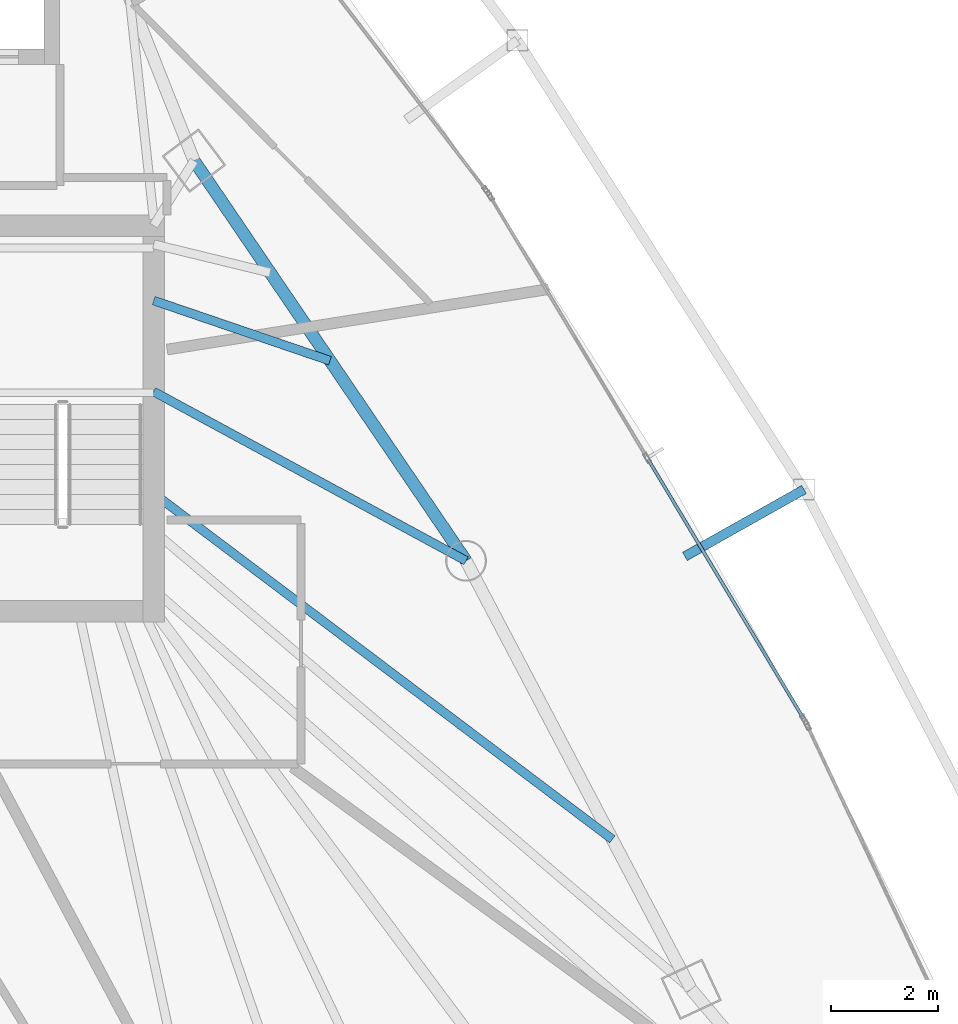
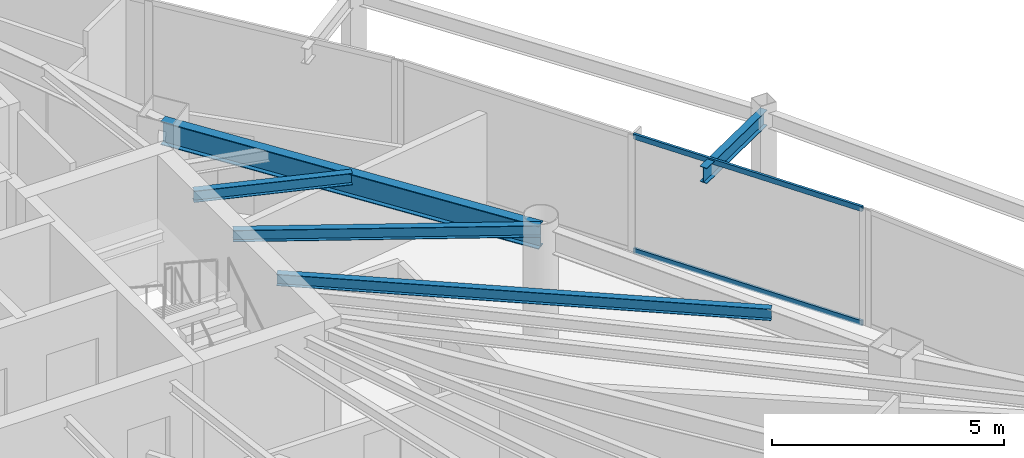
# One storey, part 17 of 33: 5 beams, 2 members, 1 element without a shape of its own.
"""IFC4 building model written with IfcOpenShell, lengths in metres."""

from ifc_helpers import new_model, si_unit, direction, frame, origin, origin_2d, place, context, subcontext, project, spatial, hollow_rectangle, i_section, extrude, material, layer, layer_set, material_profile, profile_set, type_object, element, aggregate, save


model = new_model("IFC4")

# Units and contexts
model_context = context("Model", 3, precision=1e-05, world=origin(), true_north=direction((0.0, 1.0)))
body_context = subcontext(model_context, "Body", "Model", "MODEL_VIEW")
ifc_project = project(units=[si_unit("LENGTHUNIT", "METRE"), si_unit("AREAUNIT", "SQUARE_METRE"), si_unit("VOLUMEUNIT", "CUBIC_METRE"), si_unit("PLANEANGLEUNIT", "RADIAN"), si_unit("MASSUNIT", "GRAM", prefix="KILO")], contexts=[model_context])

# Site, building, storey
site_placement = place(None, origin())
site = spatial("IfcSite", under=ifc_project, at=site_placement, CompositionType="ELEMENT")
building_placement = place(site_placement, origin())
building = spatial("IfcBuilding", under=site, at=building_placement, Name="Orvanel Arch Residences", CompositionType="ELEMENT")
storey_placement = place(building_placement, frame((0.0, 0.0, 119.89990234375)))
storey = spatial("IfcBuildingStorey", under=building, at=storey_placement, Name="L33", CompositionType="ELEMENT", Elevation=119.89990234375)

# Beams
ifc_material_1 = material(Name="Structural steel AS/NZS 3679.1 Grade 300 (300 MPa)", Category="steel")
ifc_material_profile_1 = material_profile(ifc_material_1, i_section(OverallWidth=0.1650390625, OverallDepth=0.303955078125, WebThickness=0.006103515625, FlangeThickness=0.01025390625, at=origin_2d()), Name="310UB40.4")
ifc_profile_set_1 = profile_set([ifc_material_profile_1], Name="Structural steel AS/NZS 3679.1 Grade 300 (300 MPa)")
beam_type_1 = type_object("IfcBeamType", Name="BJ-310UB", PredefinedType="JOIST", material=ifc_profile_set_1)
beam_1_placement = place(storey_placement, frame((39.60009765625, 30.800048828125, 2.908203125), z_axis=(0.87925534649, -0.476350748576, 0.0), x_axis=(0.476350748576, 0.87925534649, 0.0)))
element("IfcBeam", 1, at=beam_1_placement, inside=storey, type_object=beam_type_1, Name="L33 NE Wing Floor Joist", PredefinedType="JOIST", context=body_context, shape_type="SweptSolid", body=[
    extrude(i_section(OverallWidth=0.1650390625, OverallDepth=0.303955078125, WebThickness=0.006103515625, FlangeThickness=0.01025390625, at=origin_2d()), origin(), (0.0, 0.0, 1.0), 6.631591796875),
])
beam_2_placement = place(storey_placement, frame((39.60009765625, 32.5, 2.908203125), z_axis=(0.9464126781, -0.322959815969, 0.0), x_axis=(0.322959815969, 0.9464126781, 0.0)))
element("IfcBeam", 2, at=beam_2_placement, inside=storey, type_object=beam_type_1, Name="L33 ENE Wing Floor Joist", PredefinedType="JOIST", context=body_context, shape_type="SweptSolid", body=[
    extrude(i_section(OverallWidth=0.1650390625, OverallDepth=0.303955078125, WebThickness=0.006103515625, FlangeThickness=0.01025390625, at=origin_2d()), origin(), (0.0, 0.0, 1.0), 3.477294921875),
])
beam_3_placement = place(storey_placement, frame((39.60009765625, 28.89990234375, 2.908203125), z_axis=(0.798363428886, -0.602175917334, 0.0), x_axis=(0.602175917334, 0.798363428886, 0.0)))
element("IfcBeam", 3, at=beam_3_placement, inside=storey, type_object=beam_type_1, Name="L33 CTE Wing Floor Joist", PredefinedType="JOIST", context=body_context, shape_type="SweptSolid", body=[
    extrude(i_section(OverallWidth=0.1650390625, OverallDepth=0.303955078125, WebThickness=0.006103515625, FlangeThickness=0.01025390625, at=origin_2d()), origin(), (0.0, 0.0, 1.0), 10.724365234375),
])
ifc_material_profile_2 = material_profile(ifc_material_1, i_section(OverallWidth=0.177978515625, OverallDepth=0.406005859375, WebThickness=0.0078125, FlangeThickness=0.0126953125, at=origin_2d()), Name="410UB59.7")
ifc_profile_set_2 = profile_set([ifc_material_profile_2], Name="Structural steel AS/NZS 3679.1 Grade 300 (300 MPa)")
beam_type_2 = type_object("IfcBeamType", Name="OB-410UB-EXT", PredefinedType="SPANDREL", material=ifc_profile_set_2)
beam_4_placement = place(storey_placement, frame((49.51708984375, 27.722900390625, 2.857177734375), z_axis=(0.871639445711, 0.490147607034, 0.0), x_axis=(-0.490147607034, 0.871639445711, 0.0)))
element("IfcBeam", 4, at=beam_4_placement, inside=storey, type_object=beam_type_2, Name="L33 Outer Frame Radial Tie Beam 10", PredefinedType="SPANDREL", context=body_context, shape_type="SweptSolid", body=[
    extrude(i_section(OverallWidth=0.177978515625, OverallDepth=0.406005859375, WebThickness=0.0078125, FlangeThickness=0.0126953125, at=origin_2d()), origin(), (0.0, 0.0, 1.0), 2.55029296875),
])
ifc_material_profile_3 = material_profile(ifc_material_1, i_section(OverallWidth=0.22900390625, OverallDepth=0.612060546875, WebThickness=0.011962890625, FlangeThickness=0.01953125, at=origin_2d()), Name="610UB125")
ifc_profile_set_3 = profile_set([ifc_material_profile_3], Name="Structural steel AS/NZS 3679.1 Grade 300 (300 MPa)")
beam_type_3 = type_object("IfcBeamType", Name="SP-610UB", PredefinedType="SPANDREL", material=ifc_profile_set_3)
beam_5_placement = place(storey_placement, frame((45.430908203125, 27.64111328125, 2.754150390625), z_axis=(-0.562154793153, 0.827032035978, 0.0), x_axis=(-0.827032035978, -0.562154793153, 0.0)))
element("IfcBeam", 5, at=beam_5_placement, inside=storey, type_object=beam_type_3, Name="L33 Perimeter Spandrel Beam 12", PredefinedType="SPANDREL", context=body_context, shape_type="SweptSolid", body=[
    extrude(i_section(OverallWidth=0.22900390625, OverallDepth=0.612060546875, WebThickness=0.011962890625, FlangeThickness=0.01953125, at=origin_2d()), origin(), (0.0, 0.0, 1.0), 9.03466796875),
])

# Curtain wall, members
ifc_material_2 = material(Name="Bronze-anodised aluminium AA6063-T6", Category="aluminium")
ifc_layer = layer(ifc_material_2, 0.179931640625)
ifc_layer_set = layer_set([ifc_layer], Name="Bronze-anodised aluminium AA6063-T6")
curtain_wall_type = type_object("IfcCurtainWallType", Name="CW3-MID-SYS", PredefinedType="NOTDEFINED", material=ifc_layer_set)
curtain_wall_placement = place(storey_placement, origin())
curtain_wall = element("IfcCurtainWall", 6, at=curtain_wall_placement, inside=storey, type_object=curtain_wall_type, Name="L33 CW3-MID-SYS Unitised Curtain Wall", PredefinedType="NOTDEFINED")
ifc_material_profile_4 = material_profile(ifc_material_2, hollow_rectangle(XDim=0.06005859375, YDim=0.135009765625, WallThickness=0.00390625, at=origin_2d()), Name="ALU135x60x4")
ifc_profile_set_4 = profile_set([ifc_material_profile_4], Name="Bronze-anodised aluminium AA6063-T6")
member_type = type_object("IfcMemberType", Name="TRN-135x60", PredefinedType="USERDEFINED", material=ifc_profile_set_4)
member_1_placement = place(storey_placement, frame((51.73095703125, 24.698974609375, 0.030029296875), z_axis=(-0.514444792144, 0.857523501623, 0.0), x_axis=(-0.857523501623, -0.514444792144, 0.0)))
member_1 = element("IfcMember", 7, at=member_1_placement, type_object=member_type, Name="CW-S3 transom 1.1", ObjectType="TRANSOM", PredefinedType="USERDEFINED", context=body_context, shape_type="SweptSolid", body=[
    extrude(hollow_rectangle(XDim=0.06005859375, YDim=0.135009765625, WallThickness=0.00390625, at=origin_2d()), origin(), (0.0, 0.0, 1.0), 5.635986328125),
])
member_2_placement = place(storey_placement, frame((51.73095703125, 24.698974609375, 3.030029296875), z_axis=(-0.514444792144, 0.857523501623, 0.0), x_axis=(-0.857523501623, -0.514444792144, 0.0)))
member_2 = element("IfcMember", 8, at=member_2_placement, type_object=member_type, Name="CW-S3 transom 1.2", ObjectType="TRANSOM", PredefinedType="USERDEFINED", context=body_context, shape_type="SweptSolid", body=[
    extrude(hollow_rectangle(XDim=0.06005859375, YDim=0.135009765625, WallThickness=0.00390625, at=origin_2d()), origin(), (0.0, 0.0, 1.0), 5.635986328125),
])
aggregate(curtain_wall, [member_1, member_2])

save(model, "model.ifc")
